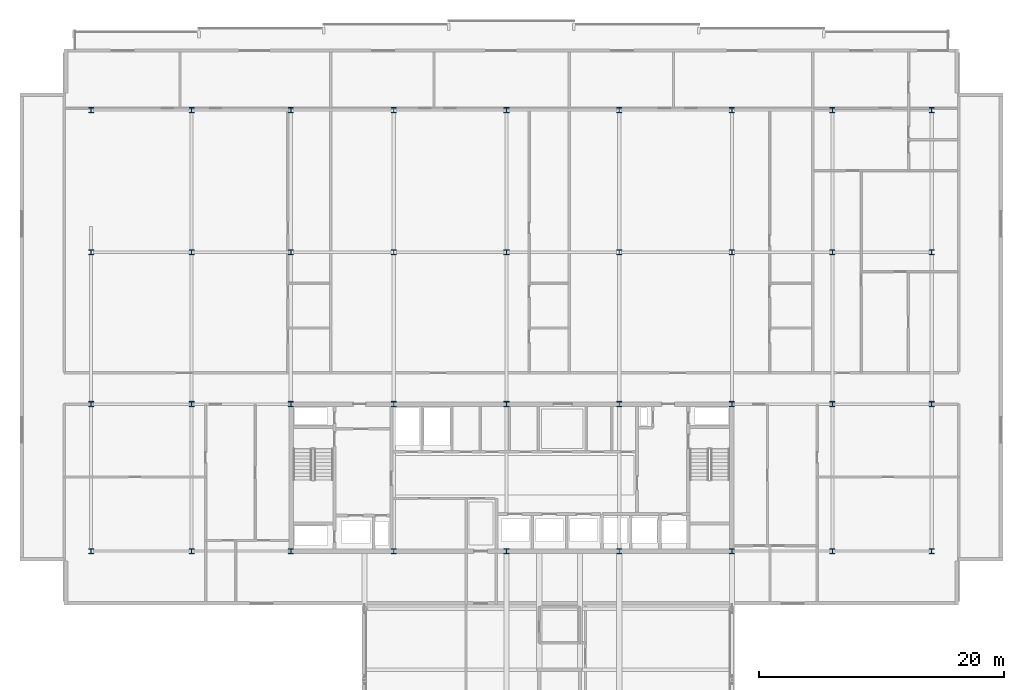
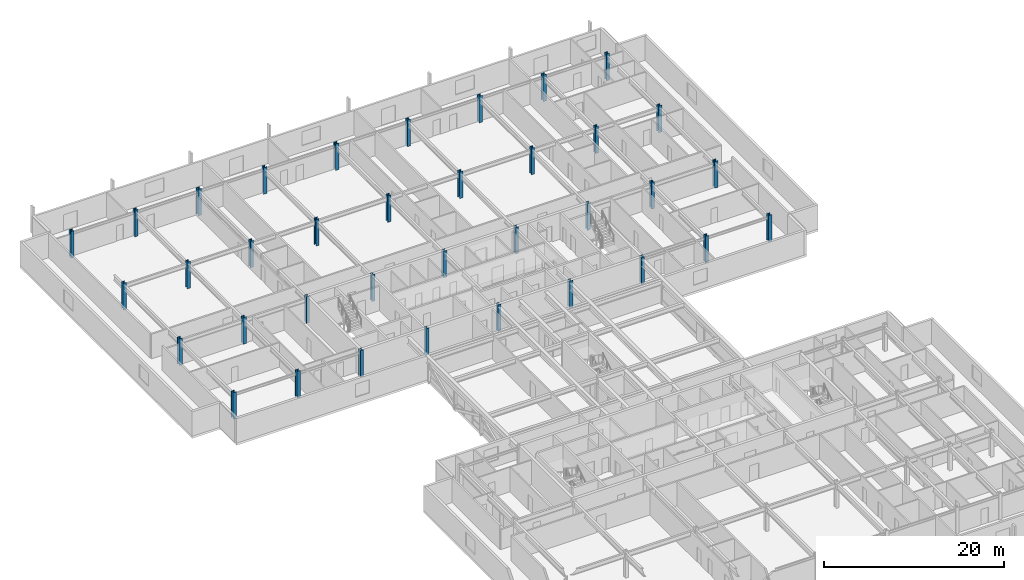
# One storey, part 2 of 35: 36 columns.
"""IFC4 building model written with IfcOpenShell, lengths in metres."""

import ifcopenshell
import ifcopenshell.guid

model = None  # the IFC model being written
_history = None  # IfcOwnerHistory: only IFC2X3 demands one
_inside = {}  # id of a spatial element -> (the spatial element, [elements in it])
_under = {}  # id of a project, library or spatial element -> (it, [spatial elements below it])
_declared = {}  # id of a project -> (the project, [libraries it declares])
_typed = {}  # id of a type object -> (the type object, [elements of that type])
_made_of = {}  # id of a material, layer set ... -> (it, [elements and type objects made of it])


def new_model(schema):
    """Start an empty IFC model of exactly this schema.

    Asked for "IFC4X3", IfcOpenShell would pick the latest addendum, in which some entities
    have other attributes; the version numbers below select the first issue.
    IFC2X3 requires an IfcOwnerHistory on every rooted entity: one is made here for all.
    """
    global model, _history
    if schema == "IFC4X3":
        model = ifcopenshell.file(schema_version=(4, 3, 0, 0))
    else:
        model = ifcopenshell.file(schema=schema)
    _inside.clear()
    _under.clear()
    _declared.clear()
    _typed.clear()
    _made_of.clear()
    _history = None
    if model.schema == "IFC2X3":
        org = make("IfcOrganization", Name="unknown")
        user = make(
            "IfcPersonAndOrganization",
            ThePerson=make("IfcPerson", FamilyName="unknown"),
            TheOrganization=org,
        )
        app = make(
            "IfcApplication",
            ApplicationDeveloper=org,
            Version="unknown",
            ApplicationFullName="unknown",
            ApplicationIdentifier="unknown",
        )
        _history = make(
            "IfcOwnerHistory",
            OwningUser=user,
            OwningApplication=app,
            ChangeAction="ADDED",
            CreationDate=0,
        )
    return model


def make(cls, **values):
    """One entity of the class cls with the attributes given. An attribute that is None is left unset."""
    return model.create_entity(
        cls, **{name: value for name, value in values.items() if value is not None}
    )


def rooted(cls, **values):
    """An entity with a GlobalId (a new one), such as an element, a storey or a relation."""
    return make(cls, GlobalId=ifcopenshell.guid.new(), OwnerHistory=_history, **values)


def si_unit(unit_type, name, prefix=None):
    """IfcSIUnit, for example si_unit("LENGTHUNIT", "METRE", prefix="MILLI")."""
    return make("IfcSIUnit", UnitType=unit_type, Prefix=prefix, Name=name)


def assignment(units):
    """IfcUnitAssignment: the units of a project."""
    return None if units is None else make("IfcUnitAssignment", Units=units)


def point(xyz):
    """IfcCartesianPoint."""
    return None if xyz is None else make("IfcCartesianPoint", Coordinates=xyz)


def direction(xyz):
    """IfcDirection."""
    return None if xyz is None else make("IfcDirection", DirectionRatios=xyz)


def frame(location, z_axis=None, x_axis=None):
    """IfcAxis2Placement3D, a coordinate frame: its origin and axes. An axis left out is left unset."""
    return make(
        "IfcAxis2Placement3D",
        Location=point(location),
        Axis=direction(z_axis),
        RefDirection=direction(x_axis),
    )


def frame_2d(location, x_axis=None):
    """IfcAxis2Placement2D, a coordinate frame in the plane: its origin and x axis."""
    return make(
        "IfcAxis2Placement2D", Location=point(location), RefDirection=direction(x_axis)
    )


def origin():
    """The frame at (0, 0, 0) with its axes left unset."""
    return frame((0.0, 0.0, 0.0))


def origin_2d():
    """The frame at (0, 0) in the plane with its x axis left unset."""
    return frame_2d((0.0, 0.0))


def place(relative_to, where):
    """IfcLocalPlacement: puts the frame where relative to a parent placement (None: the world)."""
    return make(
        "IfcLocalPlacement", PlacementRelTo=relative_to, RelativePlacement=where
    )


def context(
    kind, dimensions, precision=None, world=None, true_north=None, identifier=None
):
    """IfcGeometricRepresentationContext, for example the 3D "Model" context."""
    return make(
        "IfcGeometricRepresentationContext",
        ContextIdentifier=identifier,
        ContextType=kind,
        CoordinateSpaceDimension=dimensions,
        Precision=precision,
        WorldCoordinateSystem=world,
        TrueNorth=true_north,
    )


def subcontext(parent, identifier, kind, view, scale=None):
    """IfcGeometricRepresentationSubContext, for example "Body" below "Model"."""
    return make(
        "IfcGeometricRepresentationSubContext",
        ContextIdentifier=identifier,
        ContextType=kind,
        ParentContext=parent,
        TargetScale=scale,
        TargetView=view,
    )


def project(units=None, contexts=None):
    """IfcProject with its units and contexts."""
    return rooted(
        "IfcProject",
        Name="project",
        RepresentationContexts=contexts,
        UnitsInContext=assignment(units),
    )


def spatial(cls, under=None, at=None, **own):
    """A site, building, storey or space (cls), placed at a placement, below another one or the project."""
    s = rooted(cls, ObjectPlacement=at, **own)
    if under is not None:
        _under.setdefault(under.id(), (under, []))[1].append(s)
    return s


def profile(cls, at=None, kind="AREA", **sizes):
    """A parametric profile (cls). Its sizes go by their IFC names, for example OverallWidth=200.0."""
    return make(cls, ProfileType=kind, Position=at, **sizes)


def i_section(**sizes):
    """IfcIShapeProfileDef."""
    return profile("IfcIShapeProfileDef", **sizes)


def extrude(swept, where, along, depth):
    """IfcExtrudedAreaSolid: the profile swept, set in the frame where, extruded along a direction by depth."""
    return make(
        "IfcExtrudedAreaSolid",
        SweptArea=swept,
        Position=where,
        ExtrudedDirection=direction(along),
        Depth=depth,
    )


def shape(context_of_items, identifier, shape_type, items):
    """IfcShapeRepresentation: the items that make up one representation, for example the "Body"."""
    return make(
        "IfcShapeRepresentation",
        ContextOfItems=context_of_items,
        RepresentationIdentifier=identifier,
        RepresentationType=shape_type,
        Items=items,
    )


def material(Name=None, Category=None):
    """IfcMaterial."""
    return make("IfcMaterial", Name=Name, Category=Category)


def material_profile(
    of_material, cross_section, Name=None, Category=None, Priority=None
):
    """IfcMaterialProfile: a cross section and its material."""
    return make(
        "IfcMaterialProfile",
        Name=Name,
        Material=of_material,
        Profile=cross_section,
        Priority=Priority,
        Category=Category,
    )


def profile_set(profiles, Name=None, composite=None):
    """IfcMaterialProfileSet."""
    return make(
        "IfcMaterialProfileSet",
        Name=Name,
        MaterialProfiles=profiles,
        CompositeProfile=composite,
    )


def made_of(thing, what):
    """Note that an element or type object is made of a material, layer set ...; save() writes the relation."""
    if what is not None:
        _made_of.setdefault(what.id(), (what, []))[1].append(thing)
    return thing


def type_object(cls, material=None, **own):
    """A type object (cls), such as IfcWallType, which elements share."""
    return made_of(rooted(cls, **own), material)


def element(
    cls,
    number,
    at=None,
    inside=None,
    cuts=None,
    type_object=None,
    material=None,
    context=None,
    identifier="Body",
    shape_type=None,
    held_by="IfcProductDefinitionShape",
    body=None,
    shapes=None,
    **own,
):
    """One element of the class cls, such as IfcWall. Its Tag is "e" and its number.

    at: its placement. inside: the storey or other place that contains it. cuts: it is an
    opening in that element (IfcRelVoidsElement). A single representation is given by context,
    identifier, shape_type and body (its items); several are given by shapes. held_by: the class
    of the entity that holds the representations. save() writes the other relations.
    """
    e = rooted(cls, Tag="e%d" % number, ObjectPlacement=at, **own)
    if body is not None:
        shapes = [shape(context, identifier, shape_type, body)]
    if shapes is not None:
        e.Representation = make(held_by, Representations=shapes)
    if inside is not None:
        _inside.setdefault(inside.id(), (inside, []))[1].append(e)
    if cuts is not None:
        rooted(
            "IfcRelVoidsElement", RelatingBuildingElement=cuts, RelatedOpeningElement=e
        )
    if type_object is not None:
        _typed.setdefault(type_object.id(), (type_object, []))[1].append(e)
    return made_of(e, material)


def aggregate(whole, parts):
    """IfcRelAggregates: a whole, such as a stair, and the parts it consists of."""
    return rooted("IfcRelAggregates", RelatingObject=whole, RelatedObjects=parts)


def save(model, path):
    """Write the relations noted so far, then the file.

    IfcRelAggregates (storeys below a building ...), IfcRelContainedInSpatialStructure (elements
    in a storey), IfcRelDefinesByType, IfcRelAssociatesMaterial and IfcRelDeclares: one each for
    every whole, place, type object, material and project.
    """
    for whole, parts in _under.values():
        aggregate(whole, parts)
    for where, things in _inside.values():
        rooted(
            "IfcRelContainedInSpatialStructure",
            RelatedElements=things,
            RelatingStructure=where,
        )
    for kind, things in _typed.values():
        rooted("IfcRelDefinesByType", RelatedObjects=things, RelatingType=kind)
    for what, things in _made_of.values():
        rooted("IfcRelAssociatesMaterial", RelatedObjects=things, RelatingMaterial=what)
    for by, libraries in _declared.values():
        rooted("IfcRelDeclares", RelatingContext=by, RelatedDefinitions=libraries)
    model.write(path)


model = new_model("IFC4")

# Units and contexts
model_context = context("Model", 3, precision=1e-05, world=origin(), true_north=direction((0.0, 1.0)))
body_context = subcontext(model_context, "Body", "Model", "MODEL_VIEW")
ifc_project = project(units=[si_unit("LENGTHUNIT", "METRE"), si_unit("AREAUNIT", "SQUARE_METRE"), si_unit("VOLUMEUNIT", "CUBIC_METRE"), si_unit("PLANEANGLEUNIT", "RADIAN"), si_unit("MASSUNIT", "GRAM", prefix="KILO")], contexts=[model_context])

# Site, building, storey
site_placement = place(None, origin())
site = spatial("IfcSite", under=ifc_project, at=site_placement, CompositionType="ELEMENT")
building_placement = place(site_placement, origin())
building = spatial("IfcBuilding", under=site, at=building_placement, Name="Korimba Cascade Residences", CompositionType="ELEMENT")
storey_placement = place(building_placement, frame((0.0, 0.0, 150.10009765625)))
storey = spatial("IfcBuildingStorey", under=building, at=storey_placement, Name="L43", CompositionType="ELEMENT", Elevation=150.10009765625)

# Columns
ifc_material = material(Name="Steel S460", Category="steel")
ifc_material_profile = material_profile(ifc_material, i_section(OverallWidth=0.412109375, OverallDepth=0.4365234375, WebThickness=0.035888671875, FlangeThickness=0.052001953125, FilletRadius=0.01513671875, at=origin_2d()), Name="Steel S460")
ifc_profile_set = profile_set([ifc_material_profile], Name="Steel S460")
column_type = type_object("IfcColumnType", Name="COL-STL-UC467", PredefinedType="COLUMN", material=ifc_profile_set)
for number, where, z_axis, x_axis, name in (
    (1, (59.800048828125, 55.199951171875, 0.0), (0.0, 0.0, 1.0), (1.0, 0.0, 0.0), "L43 Tower 1 Column 1.1"),
    (2, (59.800048828125, 67.199951171875, 0.0), (0.0, 0.0, 1.0), (1.0, 0.0, 0.0), "L43 Tower 1 Column 1.2"),
    (3, (59.800048828125, 79.60009765625, 0.0), (0.0, 0.0, 1.0), (1.0, 0.0, 0.0), "L43 Tower 1 Column 1.3"),
    (4, (59.800048828125, 91.199951171875, 0.0), (0.0, 0.0, 1.0), (1.0, 0.0, 0.0), "L43 Tower 1 Column 1.4"),
    (5, (68.0, 55.199951171875, 0.0), (0.0, 0.0, 1.0), (1.0, 0.0, 0.0), "L43 Tower 1 Column 2.1"),
    (6, (68.0, 67.199951171875, 0.0), (0.0, 0.0, 1.0), (1.0, 0.0, 0.0), "L43 Tower 1 Column 2.2"),
    (7, (68.0, 79.60009765625, 0.0), (0.0, 0.0, 1.0), (1.0, 0.0, 0.0), "L43 Tower 1 Column 2.3"),
    (8, (68.0, 91.199951171875, 0.0), (0.0, 0.0, 1.0), (1.0, 0.0, 0.0), "L43 Tower 1 Column 2.4"),
    (9, (76.10009765625, 55.199951171875, 0.0), (0.0, 0.0, 1.0), (1.0, 0.0, 0.0), "L43 Tower 1 Column 3.1"),
    (10, (76.10009765625, 67.199951171875, 0.0), (0.0, 0.0, 1.0), (1.0, 0.0, 0.0), "L43 Tower 1 Column 3.2"),
    (11, (76.10009765625, 79.60009765625, 0.0), (0.0, 0.0, 1.0), (1.0, 0.0, 0.0), "L43 Tower 1 Column 3.3"),
    (12, (76.10009765625, 91.199951171875, 0.0), (0.0, 0.0, 1.0), (1.0, 0.0, 0.0), "L43 Tower 1 Column 3.4"),
    (13, (84.5, 55.199951171875, 0.0), (0.0, 0.0, 1.0), (1.0, 0.0, 0.0), "L43 Tower 1 Column 4.1"),
    (14, (84.5, 67.199951171875, 0.0), (0.0, 0.0, 1.0), (1.0, 0.0, 0.0), "L43 Tower 1 Column 4.2"),
    (15, (84.5, 79.60009765625, 0.0), (0.0, 0.0, 1.0), (1.0, 0.0, 0.0), "L43 Tower 1 Column 4.3"),
    (16, (84.5, 91.199951171875, 0.0), (0.0, 0.0, 1.0), (1.0, 0.0, 0.0), "L43 Tower 1 Column 4.4"),
    (17, (93.699951171875, 55.199951171875, 0.0), (0.0, 0.0, 1.0), (1.0, 0.0, 0.0), "L43 Tower 1 Column 5.1"),
    (18, (93.699951171875, 67.199951171875, 0.0), (0.0, 0.0, 1.0), (1.0, 0.0, 0.0), "L43 Tower 1 Column 5.2"),
    (19, (93.699951171875, 79.60009765625, 0.0), (0.0, 0.0, 1.0), (1.0, 0.0, 0.0), "L43 Tower 1 Column 5.3"),
    (20, (93.699951171875, 91.199951171875, 0.0), (0.0, 0.0, 1.0), (1.0, 0.0, 0.0), "L43 Tower 1 Column 5.4"),
    (21, (102.89990234375, 55.199951171875, 0.0), (0.0, 0.0, 1.0), (1.0, 0.0, 0.0), "L43 Tower 1 Column 6.1"),
    (22, (102.89990234375, 67.199951171875, 0.0), (0.0, 0.0, 1.0), (1.0, 0.0, 0.0), "L43 Tower 1 Column 6.2"),
    (23, (102.89990234375, 79.60009765625, 0.0), (0.0, 0.0, 1.0), (1.0, 0.0, 0.0), "L43 Tower 1 Column 6.3"),
    (24, (102.89990234375, 91.199951171875, 0.0), (0.0, 0.0, 1.0), (1.0, 0.0, 0.0), "L43 Tower 1 Column 6.4"),
    (25, (112.10009765625, 55.199951171875, 0.0), (0.0, 0.0, 1.0), (1.0, 0.0, 0.0), "L43 Tower 1 Column 7.1"),
    (26, (112.10009765625, 67.199951171875, 0.0), (0.0, 0.0, 1.0), (1.0, 0.0, 0.0), "L43 Tower 1 Column 7.2"),
    (27, (112.10009765625, 79.60009765625, 0.0), (0.0, 0.0, 1.0), (1.0, 0.0, 0.0), "L43 Tower 1 Column 7.3"),
    (28, (112.10009765625, 91.199951171875, 0.0), (0.0, 0.0, 1.0), (1.0, 0.0, 0.0), "L43 Tower 1 Column 7.4"),
    (29, (120.300048828125, 55.199951171875, 0.0), (0.0, 0.0, 1.0), (1.0, 0.0, 0.0), "L43 Tower 1 Column 8.1"),
    (30, (120.300048828125, 67.199951171875, 0.0), (0.0, 0.0, 1.0), (1.0, 0.0, 0.0), "L43 Tower 1 Column 8.2"),
    (31, (120.300048828125, 79.60009765625, 0.0), (0.0, 0.0, 1.0), (1.0, 0.0, 0.0), "L43 Tower 1 Column 8.3"),
    (32, (120.300048828125, 91.199951171875, 0.0), (0.0, 0.0, 1.0), (1.0, 0.0, 0.0), "L43 Tower 1 Column 8.4"),
    (33, (128.39990234375, 55.199951171875, 0.0), (0.0, 0.0, 1.0), (1.0, 0.0, 0.0), "L43 Tower 1 Column 9.1"),
    (34, (128.39990234375, 67.199951171875, 0.0), (0.0, 0.0, 1.0), (1.0, 0.0, 0.0), "L43 Tower 1 Column 9.2"),
    (35, (128.39990234375, 79.60009765625, 0.0), (0.0, 0.0, 1.0), (1.0, 0.0, 0.0), "L43 Tower 1 Column 9.3"),
    (36, (128.39990234375, 91.199951171875, 0.0), (0.0, 0.0, 1.0), (1.0, 0.0, 0.0), "L43 Tower 1 Column 9.4"),
):
    element("IfcColumn", number, at=place(storey_placement, frame(where, z_axis=z_axis, x_axis=x_axis)), inside=storey, type_object=column_type, Name=name, PredefinedType="COLUMN", context=body_context, shape_type="SweptSolid", body=[
        extrude(i_section(OverallWidth=0.412109375, OverallDepth=0.4365234375, WebThickness=0.035888671875, FlangeThickness=0.052001953125, FilletRadius=0.01513671875, at=origin_2d()), origin(), (0.0, 0.0, 1.0), 3.599853515625),
    ])

save(model, "model.ifc")
